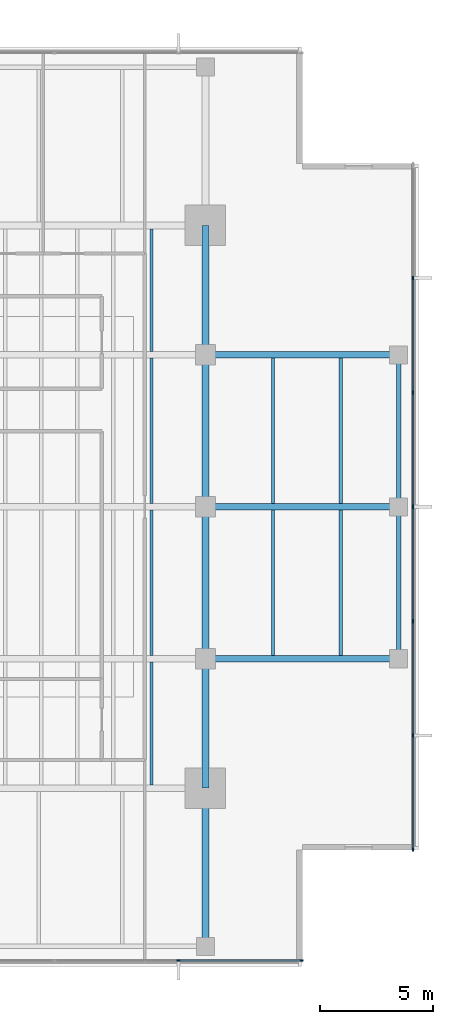
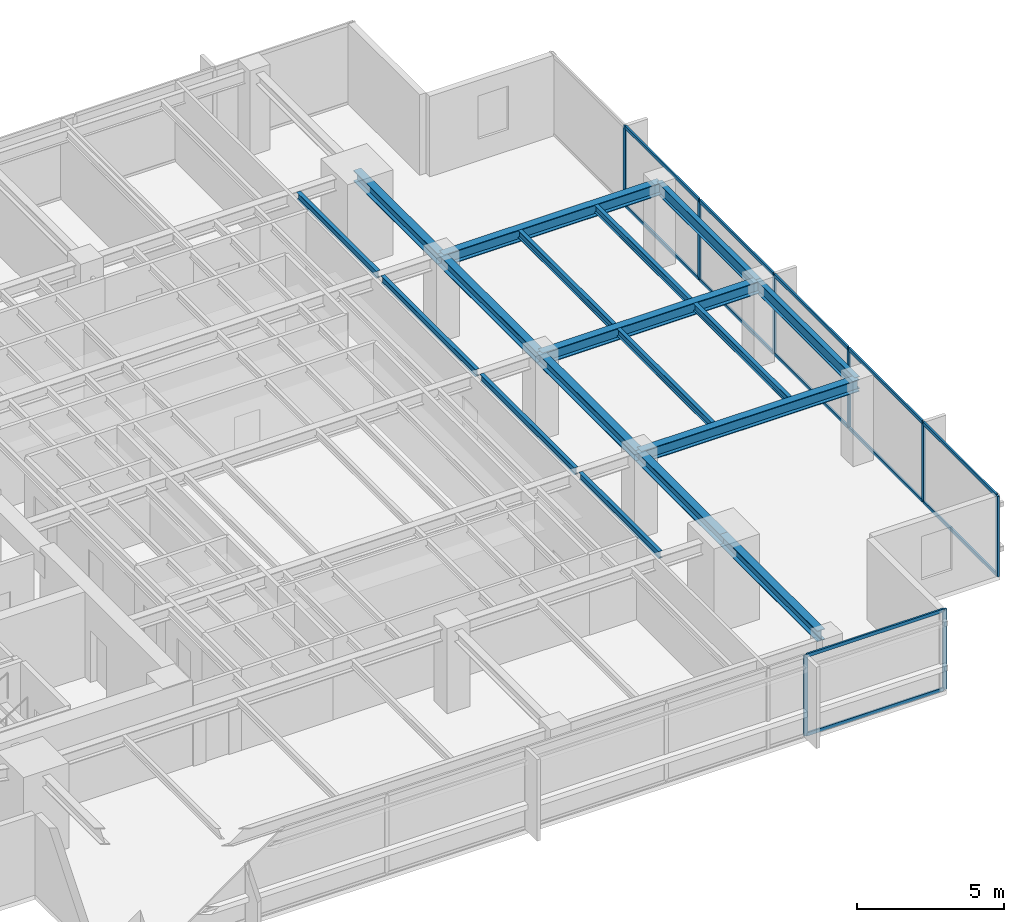
# One storey, part 4 of 15: 20 members, 18 beams, 2 elements without a shape of their own.
"""IFC4 building model written with IfcOpenShell, lengths in metres."""

import ifcopenshell
import ifcopenshell.guid

model = None  # the IFC model being written
_history = None  # IfcOwnerHistory: only IFC2X3 demands one
_inside = {}  # id of a spatial element -> (the spatial element, [elements in it])
_under = {}  # id of a project, library or spatial element -> (it, [spatial elements below it])
_declared = {}  # id of a project -> (the project, [libraries it declares])
_typed = {}  # id of a type object -> (the type object, [elements of that type])
_made_of = {}  # id of a material, layer set ... -> (it, [elements and type objects made of it])


def new_model(schema):
    """Start an empty IFC model of exactly this schema.

    Asked for "IFC4X3", IfcOpenShell would pick the latest addendum, in which some entities
    have other attributes; the version numbers below select the first issue.
    IFC2X3 requires an IfcOwnerHistory on every rooted entity: one is made here for all.
    """
    global model, _history
    if schema == "IFC4X3":
        model = ifcopenshell.file(schema_version=(4, 3, 0, 0))
    else:
        model = ifcopenshell.file(schema=schema)
    _inside.clear()
    _under.clear()
    _declared.clear()
    _typed.clear()
    _made_of.clear()
    _history = None
    if model.schema == "IFC2X3":
        org = make("IfcOrganization", Name="unknown")
        user = make(
            "IfcPersonAndOrganization",
            ThePerson=make("IfcPerson", FamilyName="unknown"),
            TheOrganization=org,
        )
        app = make(
            "IfcApplication",
            ApplicationDeveloper=org,
            Version="unknown",
            ApplicationFullName="unknown",
            ApplicationIdentifier="unknown",
        )
        _history = make(
            "IfcOwnerHistory",
            OwningUser=user,
            OwningApplication=app,
            ChangeAction="ADDED",
            CreationDate=0,
        )
    return model


def make(cls, **values):
    """One entity of the class cls with the attributes given. An attribute that is None is left unset."""
    return model.create_entity(
        cls, **{name: value for name, value in values.items() if value is not None}
    )


def rooted(cls, **values):
    """An entity with a GlobalId (a new one), such as an element, a storey or a relation."""
    return make(cls, GlobalId=ifcopenshell.guid.new(), OwnerHistory=_history, **values)


def si_unit(unit_type, name, prefix=None):
    """IfcSIUnit, for example si_unit("LENGTHUNIT", "METRE", prefix="MILLI")."""
    return make("IfcSIUnit", UnitType=unit_type, Prefix=prefix, Name=name)


def assignment(units):
    """IfcUnitAssignment: the units of a project."""
    return None if units is None else make("IfcUnitAssignment", Units=units)


def point(xyz):
    """IfcCartesianPoint."""
    return None if xyz is None else make("IfcCartesianPoint", Coordinates=xyz)


def direction(xyz):
    """IfcDirection."""
    return None if xyz is None else make("IfcDirection", DirectionRatios=xyz)


def frame(location, z_axis=None, x_axis=None):
    """IfcAxis2Placement3D, a coordinate frame: its origin and axes. An axis left out is left unset."""
    return make(
        "IfcAxis2Placement3D",
        Location=point(location),
        Axis=direction(z_axis),
        RefDirection=direction(x_axis),
    )


def frame_2d(location, x_axis=None):
    """IfcAxis2Placement2D, a coordinate frame in the plane: its origin and x axis."""
    return make(
        "IfcAxis2Placement2D", Location=point(location), RefDirection=direction(x_axis)
    )


def origin():
    """The frame at (0, 0, 0) with its axes left unset."""
    return frame((0.0, 0.0, 0.0))


def origin_2d():
    """The frame at (0, 0) in the plane with its x axis left unset."""
    return frame_2d((0.0, 0.0))


def place(relative_to, where):
    """IfcLocalPlacement: puts the frame where relative to a parent placement (None: the world)."""
    return make(
        "IfcLocalPlacement", PlacementRelTo=relative_to, RelativePlacement=where
    )


def context(
    kind, dimensions, precision=None, world=None, true_north=None, identifier=None
):
    """IfcGeometricRepresentationContext, for example the 3D "Model" context."""
    return make(
        "IfcGeometricRepresentationContext",
        ContextIdentifier=identifier,
        ContextType=kind,
        CoordinateSpaceDimension=dimensions,
        Precision=precision,
        WorldCoordinateSystem=world,
        TrueNorth=true_north,
    )


def subcontext(parent, identifier, kind, view, scale=None):
    """IfcGeometricRepresentationSubContext, for example "Body" below "Model"."""
    return make(
        "IfcGeometricRepresentationSubContext",
        ContextIdentifier=identifier,
        ContextType=kind,
        ParentContext=parent,
        TargetScale=scale,
        TargetView=view,
    )


def project(units=None, contexts=None):
    """IfcProject with its units and contexts."""
    return rooted(
        "IfcProject",
        Name="project",
        RepresentationContexts=contexts,
        UnitsInContext=assignment(units),
    )


def spatial(cls, under=None, at=None, **own):
    """A site, building, storey or space (cls), placed at a placement, below another one or the project."""
    s = rooted(cls, ObjectPlacement=at, **own)
    if under is not None:
        _under.setdefault(under.id(), (under, []))[1].append(s)
    return s


def profile(cls, at=None, kind="AREA", **sizes):
    """A parametric profile (cls). Its sizes go by their IFC names, for example OverallWidth=200.0."""
    return make(cls, ProfileType=kind, Position=at, **sizes)


def rectangle(**sizes):
    """IfcRectangleProfileDef."""
    return profile("IfcRectangleProfileDef", **sizes)


def i_section(**sizes):
    """IfcIShapeProfileDef."""
    return profile("IfcIShapeProfileDef", **sizes)


def extrude(swept, where, along, depth):
    """IfcExtrudedAreaSolid: the profile swept, set in the frame where, extruded along a direction by depth."""
    return make(
        "IfcExtrudedAreaSolid",
        SweptArea=swept,
        Position=where,
        ExtrudedDirection=direction(along),
        Depth=depth,
    )


def shape(context_of_items, identifier, shape_type, items):
    """IfcShapeRepresentation: the items that make up one representation, for example the "Body"."""
    return make(
        "IfcShapeRepresentation",
        ContextOfItems=context_of_items,
        RepresentationIdentifier=identifier,
        RepresentationType=shape_type,
        Items=items,
    )


def material(Name=None, Category=None):
    """IfcMaterial."""
    return make("IfcMaterial", Name=Name, Category=Category)


def layer(
    of_material, thickness, ventilated=None, Name=None, Category=None, Priority=None
):
    """IfcMaterialLayer: one layer of a wall or slab, of a material (None: an air gap)."""
    return make(
        "IfcMaterialLayer",
        Material=of_material,
        LayerThickness=thickness,
        IsVentilated=ventilated,
        Name=Name,
        Category=Category,
        Priority=Priority,
    )


def layer_set(layers, Name=None):
    """IfcMaterialLayerSet."""
    return make("IfcMaterialLayerSet", MaterialLayers=layers, LayerSetName=Name)


def material_profile(
    of_material, cross_section, Name=None, Category=None, Priority=None
):
    """IfcMaterialProfile: a cross section and its material."""
    return make(
        "IfcMaterialProfile",
        Name=Name,
        Material=of_material,
        Profile=cross_section,
        Priority=Priority,
        Category=Category,
    )


def profile_set(profiles, Name=None, composite=None):
    """IfcMaterialProfileSet."""
    return make(
        "IfcMaterialProfileSet",
        Name=Name,
        MaterialProfiles=profiles,
        CompositeProfile=composite,
    )


def made_of(thing, what):
    """Note that an element or type object is made of a material, layer set ...; save() writes the relation."""
    if what is not None:
        _made_of.setdefault(what.id(), (what, []))[1].append(thing)
    return thing


def type_object(cls, material=None, **own):
    """A type object (cls), such as IfcWallType, which elements share."""
    return made_of(rooted(cls, **own), material)


def element(
    cls,
    number,
    at=None,
    inside=None,
    cuts=None,
    type_object=None,
    material=None,
    context=None,
    identifier="Body",
    shape_type=None,
    held_by="IfcProductDefinitionShape",
    body=None,
    shapes=None,
    **own,
):
    """One element of the class cls, such as IfcWall. Its Tag is "e" and its number.

    at: its placement. inside: the storey or other place that contains it. cuts: it is an
    opening in that element (IfcRelVoidsElement). A single representation is given by context,
    identifier, shape_type and body (its items); several are given by shapes. held_by: the class
    of the entity that holds the representations. save() writes the other relations.
    """
    e = rooted(cls, Tag="e%d" % number, ObjectPlacement=at, **own)
    if body is not None:
        shapes = [shape(context, identifier, shape_type, body)]
    if shapes is not None:
        e.Representation = make(held_by, Representations=shapes)
    if inside is not None:
        _inside.setdefault(inside.id(), (inside, []))[1].append(e)
    if cuts is not None:
        rooted(
            "IfcRelVoidsElement", RelatingBuildingElement=cuts, RelatedOpeningElement=e
        )
    if type_object is not None:
        _typed.setdefault(type_object.id(), (type_object, []))[1].append(e)
    return made_of(e, material)


def aggregate(whole, parts):
    """IfcRelAggregates: a whole, such as a stair, and the parts it consists of."""
    return rooted("IfcRelAggregates", RelatingObject=whole, RelatedObjects=parts)


def save(model, path):
    """Write the relations noted so far, then the file.

    IfcRelAggregates (storeys below a building ...), IfcRelContainedInSpatialStructure (elements
    in a storey), IfcRelDefinesByType, IfcRelAssociatesMaterial and IfcRelDeclares: one each for
    every whole, place, type object, material and project.
    """
    for whole, parts in _under.values():
        aggregate(whole, parts)
    for where, things in _inside.values():
        rooted(
            "IfcRelContainedInSpatialStructure",
            RelatedElements=things,
            RelatingStructure=where,
        )
    for kind, things in _typed.values():
        rooted("IfcRelDefinesByType", RelatedObjects=things, RelatingType=kind)
    for what, things in _made_of.values():
        rooted("IfcRelAssociatesMaterial", RelatedObjects=things, RelatingMaterial=what)
    for by, libraries in _declared.values():
        rooted("IfcRelDeclares", RelatingContext=by, RelatedDefinitions=libraries)
    model.write(path)


model = new_model("IFC4")

# Units and contexts
model_context = context("Model", 3, precision=1e-05, world=origin(), true_north=direction((0.0, 1.0)))
body_context = subcontext(model_context, "Body", "Model", "MODEL_VIEW")
ifc_project = project(units=[si_unit("LENGTHUNIT", "METRE"), si_unit("AREAUNIT", "SQUARE_METRE"), si_unit("VOLUMEUNIT", "CUBIC_METRE"), si_unit("PLANEANGLEUNIT", "RADIAN"), si_unit("MASSUNIT", "GRAM", prefix="KILO")], contexts=[model_context])

# Site, building, storey
site_placement = place(None, origin())
site = spatial("IfcSite", under=ifc_project, at=site_placement, CompositionType="ELEMENT")
building_placement = place(site_placement, origin())
building = spatial("IfcBuilding", under=site, at=building_placement, Name="Kinhvarn Gate Tower", CompositionType="ELEMENT")
storey_placement = place(building_placement, frame((0.0, 0.0, 237.75)))
storey = spatial("IfcBuildingStorey", under=building, at=storey_placement, Name="L63", CompositionType="ELEMENT", Elevation=237.75)

# Curtain wall, members
ifc_material_1 = material(Name="Anodised aluminium AW-6063", Category="aluminium")
ifc_layer = layer(ifc_material_1, 0.179931640625)
ifc_layer_set = layer_set([ifc_layer], Name="Anodised aluminium AW-6063")
curtain_wall_type = type_object("IfcCurtainWallType", Name="CW-SYS-3", PredefinedType="NOTDEFINED", material=ifc_layer_set)
curtain_wall_1_placement = place(storey_placement, origin())
curtain_wall_1 = element("IfcCurtainWall", 1, at=curtain_wall_1_placement, inside=storey, type_object=curtain_wall_type, Name="Curtain Wall CW3 (L63)", PredefinedType="NOTDEFINED")
ifc_material_profile_1 = material_profile(ifc_material_1, rectangle(XDim=0.06494140625, YDim=0.159912109375, at=origin_2d()), Name="ALU 65x160")
ifc_profile_set_1 = profile_set([ifc_material_profile_1], Name="Anodised aluminium AW-6063")
member_type_1 = type_object("IfcMemberType", Name="CW-MUL-160", PredefinedType="MULLION", material=ifc_profile_set_1)
member_1_placement = place(storey_placement, frame((37.0, 5.090087890625, 0.0), z_axis=(0.0, 0.0, 1.0), x_axis=(0.0, 1.0, 0.0)))
member_1 = element("IfcMember", 2, at=member_1_placement, type_object=member_type_1, Name="CW3 mullion 6", PredefinedType="MULLION", context=body_context, shape_type="SweptSolid", body=[
    extrude(rectangle(XDim=0.06494140625, YDim=0.159912109375, at=origin_2d()), origin(), (0.0, 0.0, 1.0), 3.35009765625),
])
member_2_placement = place(storey_placement, frame((42.467529296875, 5.090087890625, 0.0), z_axis=(0.0, 0.0, 1.0), x_axis=(0.0, 1.0, 0.0)))
member_2 = element("IfcMember", 3, at=member_2_placement, type_object=member_type_1, Name="CW3 mullion 7", PredefinedType="MULLION", context=body_context, shape_type="SweptSolid", body=[
    extrude(rectangle(XDim=0.06494140625, YDim=0.159912109375, at=origin_2d()), origin(), (0.0, 0.0, 1.0), 3.35009765625),
])

curtain_wall_2_placement = place(storey_placement, origin())
curtain_wall_2 = element("IfcCurtainWall", 4, at=curtain_wall_2_placement, inside=storey, type_object=curtain_wall_type, Name="Curtain Wall CW3 (L63)", PredefinedType="NOTDEFINED")
member_3_placement = place(storey_placement, frame((47.409912109375, 10.032470703125, 0.0), z_axis=(0.0, 0.0, 1.0), x_axis=(-1.0, 0.0, 0.0)))
member_3 = element("IfcMember", 5, at=member_3_placement, type_object=member_type_1, Name="CW3 mullion 1", PredefinedType="MULLION", context=body_context, shape_type="SweptSolid", body=[
    extrude(rectangle(XDim=0.06494140625, YDim=0.159912109375, at=origin_2d()), origin(), (0.0, 0.0, 1.0), 3.35009765625),
])
member_4_placement = place(storey_placement, frame((47.409912109375, 15.083251953125, 0.0), z_axis=(0.0, 0.0, 1.0), x_axis=(-1.0, 0.0, 0.0)))
member_4 = element("IfcMember", 6, at=member_4_placement, type_object=member_type_1, Name="CW3 mullion 2", PredefinedType="MULLION", context=body_context, shape_type="SweptSolid", body=[
    extrude(rectangle(XDim=0.06494140625, YDim=0.159912109375, at=origin_2d()), origin(), (0.0, 0.0, 1.0), 3.35009765625),
])
member_5_placement = place(storey_placement, frame((47.409912109375, 20.166748046875, 0.0), z_axis=(0.0, 0.0, 1.0), x_axis=(-1.0, 0.0, 0.0)))
member_5 = element("IfcMember", 7, at=member_5_placement, type_object=member_type_1, Name="CW3 mullion 3", PredefinedType="MULLION", context=body_context, shape_type="SweptSolid", body=[
    extrude(rectangle(XDim=0.06494140625, YDim=0.159912109375, at=origin_2d()), origin(), (0.0, 0.0, 1.0), 3.35009765625),
])
member_6_placement = place(storey_placement, frame((47.409912109375, 25.25, 0.0), z_axis=(0.0, 0.0, 1.0), x_axis=(-1.0, 0.0, 0.0)))
member_6 = element("IfcMember", 8, at=member_6_placement, type_object=member_type_1, Name="CW3 mullion 4", PredefinedType="MULLION", context=body_context, shape_type="SweptSolid", body=[
    extrude(rectangle(XDim=0.06494140625, YDim=0.159912109375, at=origin_2d()), origin(), (0.0, 0.0, 1.0), 3.35009765625),
])
member_7_placement = place(storey_placement, frame((47.409912109375, 30.333251953125, 0.0), z_axis=(0.0, 0.0, 1.0), x_axis=(-1.0, 0.0, 0.0)))
member_7 = element("IfcMember", 9, at=member_7_placement, type_object=member_type_1, Name="CW3 mullion 5", PredefinedType="MULLION", context=body_context, shape_type="SweptSolid", body=[
    extrude(rectangle(XDim=0.06494140625, YDim=0.159912109375, at=origin_2d()), origin(), (0.0, 0.0, 1.0), 3.35009765625),
])
member_8_placement = place(storey_placement, frame((47.409912109375, 35.416748046875, 0.0), z_axis=(0.0, 0.0, 1.0), x_axis=(-1.0, 0.0, 0.0)))
member_8 = element("IfcMember", 10, at=member_8_placement, type_object=member_type_1, Name="CW3 mullion 6", PredefinedType="MULLION", context=body_context, shape_type="SweptSolid", body=[
    extrude(rectangle(XDim=0.06494140625, YDim=0.159912109375, at=origin_2d()), origin(), (0.0, 0.0, 1.0), 3.35009765625),
])

# Member
ifc_material_profile_2 = material_profile(ifc_material_1, rectangle(XDim=0.070068359375, YDim=0.139892578125, at=origin_2d()), Name="ALU 70x140")
ifc_profile_set_2 = profile_set([ifc_material_profile_2], Name="Anodised aluminium AW-6063")
member_type_2 = type_object("IfcMemberType", Name="CW-TRN-140", PredefinedType="USERDEFINED", material=ifc_profile_set_2)
member_9_placement = place(storey_placement, frame((37.032470703125, 5.090087890625, 0.034912109375), z_axis=(1.0, 0.0, 0.0), x_axis=(0.0, 1.0, 0.0)))
member_9 = element("IfcMember", 11, at=member_9_placement, type_object=member_type_2, Name="CW3 transom 6.1", ObjectType="TRANSOM", PredefinedType="USERDEFINED", context=body_context, shape_type="SweptSolid", body=[
    extrude(rectangle(XDim=0.070068359375, YDim=0.139892578125, at=origin_2d()), origin(), (0.0, 0.0, 1.0), 5.402587890625),
])

member_10_placement = place(storey_placement, frame((37.032470703125, 5.090087890625, 3.31494140625), z_axis=(1.0, 0.0, 0.0), x_axis=(0.0, 1.0, 0.0)))
member_10 = element("IfcMember", 12, at=member_10_placement, type_object=member_type_2, Name="CW3 transom 6.2", ObjectType="TRANSOM", PredefinedType="USERDEFINED", context=body_context, shape_type="SweptSolid", body=[
    extrude(rectangle(XDim=0.070068359375, YDim=0.139892578125, at=origin_2d()), origin(), (0.0, 0.0, 1.0), 5.402587890625),
])

aggregate(curtain_wall_1, [member_1, member_2, member_9, member_10])

member_11_placement = place(storey_placement, frame((47.409912109375, 10.06494140625, 0.034912109375), z_axis=(0.0, 1.0, 0.0), x_axis=(-1.0, 0.0, 0.0)))
member_11 = element("IfcMember", 13, at=member_11_placement, type_object=member_type_2, Name="CW3 transom 1.1", ObjectType="TRANSOM", PredefinedType="USERDEFINED", context=body_context, shape_type="SweptSolid", body=[
    extrude(rectangle(XDim=0.070068359375, YDim=0.139892578125, at=origin_2d()), origin(), (0.0, 0.0, 1.0), 4.98583984375),
])

member_12_placement = place(storey_placement, frame((47.409912109375, 10.06494140625, 3.31494140625), z_axis=(0.0, 1.0, 0.0), x_axis=(-1.0, 0.0, 0.0)))
member_12 = element("IfcMember", 14, at=member_12_placement, type_object=member_type_2, Name="CW3 transom 1.2", ObjectType="TRANSOM", PredefinedType="USERDEFINED", context=body_context, shape_type="SweptSolid", body=[
    extrude(rectangle(XDim=0.070068359375, YDim=0.139892578125, at=origin_2d()), origin(), (0.0, 0.0, 1.0), 4.98583984375),
])

member_13_placement = place(storey_placement, frame((47.409912109375, 15.11572265625, 0.034912109375), z_axis=(0.0, 1.0, 0.0), x_axis=(-1.0, 0.0, 0.0)))
member_13 = element("IfcMember", 15, at=member_13_placement, type_object=member_type_2, Name="CW3 transom 2.1", ObjectType="TRANSOM", PredefinedType="USERDEFINED", context=body_context, shape_type="SweptSolid", body=[
    extrude(rectangle(XDim=0.070068359375, YDim=0.139892578125, at=origin_2d()), origin(), (0.0, 0.0, 1.0), 5.0185546875),
])

member_14_placement = place(storey_placement, frame((47.409912109375, 15.11572265625, 3.31494140625), z_axis=(0.0, 1.0, 0.0), x_axis=(-1.0, 0.0, 0.0)))
member_14 = element("IfcMember", 16, at=member_14_placement, type_object=member_type_2, Name="CW3 transom 2.2", ObjectType="TRANSOM", PredefinedType="USERDEFINED", context=body_context, shape_type="SweptSolid", body=[
    extrude(rectangle(XDim=0.070068359375, YDim=0.139892578125, at=origin_2d()), origin(), (0.0, 0.0, 1.0), 5.0185546875),
])

member_15_placement = place(storey_placement, frame((47.409912109375, 20.19921875, 0.034912109375), z_axis=(0.0, 1.0, 0.0), x_axis=(-1.0, 0.0, 0.0)))
member_15 = element("IfcMember", 17, at=member_15_placement, type_object=member_type_2, Name="CW3 transom 3.1", ObjectType="TRANSOM", PredefinedType="USERDEFINED", context=body_context, shape_type="SweptSolid", body=[
    extrude(rectangle(XDim=0.070068359375, YDim=0.139892578125, at=origin_2d()), origin(), (0.0, 0.0, 1.0), 5.018310546875),
])

member_16_placement = place(storey_placement, frame((47.409912109375, 20.19921875, 3.31494140625), z_axis=(0.0, 1.0, 0.0), x_axis=(-1.0, 0.0, 0.0)))
member_16 = element("IfcMember", 18, at=member_16_placement, type_object=member_type_2, Name="CW3 transom 3.2", ObjectType="TRANSOM", PredefinedType="USERDEFINED", context=body_context, shape_type="SweptSolid", body=[
    extrude(rectangle(XDim=0.070068359375, YDim=0.139892578125, at=origin_2d()), origin(), (0.0, 0.0, 1.0), 5.018310546875),
])

member_17_placement = place(storey_placement, frame((47.409912109375, 25.282470703125, 0.034912109375), z_axis=(0.0, 1.0, 0.0), x_axis=(-1.0, 0.0, 0.0)))
member_17 = element("IfcMember", 19, at=member_17_placement, type_object=member_type_2, Name="CW3 transom 4.1", ObjectType="TRANSOM", PredefinedType="USERDEFINED", context=body_context, shape_type="SweptSolid", body=[
    extrude(rectangle(XDim=0.070068359375, YDim=0.139892578125, at=origin_2d()), origin(), (0.0, 0.0, 1.0), 5.018310546875),
])

member_18_placement = place(storey_placement, frame((47.409912109375, 25.282470703125, 3.31494140625), z_axis=(0.0, 1.0, 0.0), x_axis=(-1.0, 0.0, 0.0)))
member_18 = element("IfcMember", 20, at=member_18_placement, type_object=member_type_2, Name="CW3 transom 4.2", ObjectType="TRANSOM", PredefinedType="USERDEFINED", context=body_context, shape_type="SweptSolid", body=[
    extrude(rectangle(XDim=0.070068359375, YDim=0.139892578125, at=origin_2d()), origin(), (0.0, 0.0, 1.0), 5.018310546875),
])

member_19_placement = place(storey_placement, frame((47.409912109375, 30.36572265625, 0.034912109375), z_axis=(0.0, 1.0, 0.0), x_axis=(-1.0, 0.0, 0.0)))
member_19 = element("IfcMember", 21, at=member_19_placement, type_object=member_type_2, Name="CW3 transom 5.1", ObjectType="TRANSOM", PredefinedType="USERDEFINED", context=body_context, shape_type="SweptSolid", body=[
    extrude(rectangle(XDim=0.070068359375, YDim=0.139892578125, at=origin_2d()), origin(), (0.0, 0.0, 1.0), 5.0185546875),
])

member_20_placement = place(storey_placement, frame((47.409912109375, 30.36572265625, 3.31494140625), z_axis=(0.0, 1.0, 0.0), x_axis=(-1.0, 0.0, 0.0)))
member_20 = element("IfcMember", 22, at=member_20_placement, type_object=member_type_2, Name="CW3 transom 5.2", ObjectType="TRANSOM", PredefinedType="USERDEFINED", context=body_context, shape_type="SweptSolid", body=[
    extrude(rectangle(XDim=0.070068359375, YDim=0.139892578125, at=origin_2d()), origin(), (0.0, 0.0, 1.0), 5.0185546875),
])

aggregate(curtain_wall_2, [member_3, member_4, member_5, member_6, member_7, member_8, member_11, member_12, member_13, member_14, member_15, member_16, member_17, member_18, member_19, member_20])

# Beams
ifc_material_2 = material(Name="Steel S355", Category="steel")
ifc_material_profile_3 = material_profile(ifc_material_2, i_section(OverallWidth=0.300048828125, OverallDepth=0.449951171875, WebThickness=0.013916015625, FlangeThickness=0.02587890625, at=origin_2d()), Name="HEB 450")
ifc_profile_set_3 = profile_set([ifc_material_profile_3], Name="Steel S355")
beam_type_1 = type_object("IfcBeamType", Name="STL-HEB450", PredefinedType="BEAM", material=ifc_profile_set_3)
beam_1_placement = place(storey_placement, frame((38.199951171875, 6.10498046875, 3.125), z_axis=(0.0, 1.0, 0.0), x_axis=(-1.0, 0.0, 0.0)))
element("IfcBeam", 23, at=beam_1_placement, inside=storey, type_object=beam_type_1, Name="Floor Beam PG-13 (L63 MCE-S)", PredefinedType="BEAM", context=body_context, shape_type="SweptSolid", body=[
    extrude(i_section(OverallWidth=0.300048828125, OverallDepth=0.449951171875, WebThickness=0.013916015625, FlangeThickness=0.02587890625, at=origin_2d()), origin(), (0.0, 0.0, 1.0), 6.64501953125),
])
beam_2_placement = place(storey_placement, frame((38.199951171875, 12.75, 3.125), z_axis=(0.0, 1.0, 0.0), x_axis=(-1.0, 0.0, 0.0)))
element("IfcBeam", 24, at=beam_2_placement, inside=storey, type_object=beam_type_1, Name="Floor Beam PG-13 (L63 MG-E-12)", PredefinedType="BEAM", context=body_context, shape_type="SweptSolid", body=[
    extrude(i_section(OverallWidth=0.300048828125, OverallDepth=0.449951171875, WebThickness=0.013916015625, FlangeThickness=0.02587890625, at=origin_2d()), origin(), (0.0, 0.0, 1.0), 5.75),
])
for number, where, z_axis, x_axis, name in (
    (25, (38.199951171875, 18.5, 3.125), (0.0, 1.0, 0.0), (-1.0, 0.0, 0.0), "Floor Beam PG-13 (L63 MG-E-18)"),
    (26, (38.199951171875, 25.25, 3.125), (0.0, 1.0, 0.0), (-1.0, 0.0, 0.0), "Floor Beam PG-13 (L63 MG-E-25)"),
):
    element("IfcBeam", number, at=place(storey_placement, frame(where, z_axis=z_axis, x_axis=x_axis)), inside=storey, type_object=beam_type_1, Name=name, PredefinedType="BEAM", context=body_context, shape_type="SweptSolid", body=[
        extrude(i_section(OverallWidth=0.300048828125, OverallDepth=0.449951171875, WebThickness=0.013916015625, FlangeThickness=0.02587890625, at=origin_2d()), origin(), (0.0, 0.0, 1.0), 6.75),
    ])
beam_3_placement = place(storey_placement, frame((38.199951171875, 32.0, 3.125), z_axis=(0.0, 1.0, 0.0), x_axis=(-1.0, 0.0, 0.0)))
element("IfcBeam", 27, at=beam_3_placement, inside=storey, type_object=beam_type_1, Name="Floor Beam PG-13 (L63 MG-E-32)", PredefinedType="BEAM", context=body_context, shape_type="SweptSolid", body=[
    extrude(i_section(OverallWidth=0.300048828125, OverallDepth=0.449951171875, WebThickness=0.013916015625, FlangeThickness=0.02587890625, at=origin_2d()), origin(), (0.0, 0.0, 1.0), 5.75),
])
ifc_material_profile_4 = material_profile(ifc_material_2, i_section(OverallWidth=0.300048828125, OverallDepth=0.5, WebThickness=0.014404296875, FlangeThickness=0.028076171875, at=origin_2d()), Name="HEB 500")
ifc_profile_set_4 = profile_set([ifc_material_profile_4], Name="Steel S355")
beam_type_2 = type_object("IfcBeamType", Name="STL-HEB500", PredefinedType="BEAM", material=ifc_profile_set_4)
for number, where, z_axis, x_axis, name in (
    (28, (38.199951171875, 18.5, 3.10009765625), (1.0, 0.0, 0.0), (0.0, 1.0, 0.0), "Floor Beam PG-14 (L63 EW2-Y18)"),
    (29, (38.199951171875, 25.25, 3.10009765625), (1.0, 0.0, 0.0), (0.0, 1.0, 0.0), "Floor Beam PG-14 (L63 EW2-Y25)"),
    (30, (38.199951171875, 32.0, 3.10009765625), (1.0, 0.0, 0.0), (0.0, 1.0, 0.0), "Floor Beam PG-14 (L63 EW2-Y32)"),
):
    element("IfcBeam", number, at=place(storey_placement, frame(where, z_axis=z_axis, x_axis=x_axis)), inside=storey, type_object=beam_type_2, Name=name, PredefinedType="BEAM", context=body_context, shape_type="SweptSolid", body=[
        extrude(i_section(OverallWidth=0.300048828125, OverallDepth=0.5, WebThickness=0.014404296875, FlangeThickness=0.028076171875, at=origin_2d()), origin(), (0.0, 0.0, 1.0), 8.580078125),
    ])
ifc_material_profile_5 = material_profile(ifc_material_2, i_section(OverallWidth=0.14990234375, OverallDepth=0.300048828125, WebThickness=0.007080078125, FlangeThickness=0.0107421875, at=origin_2d()), Name="IPE 300")
ifc_profile_set_5 = profile_set([ifc_material_profile_5], Name="Steel S355")
beam_type_3 = type_object("IfcBeamType", Name="STL-IPE300", PredefinedType="JOIST", material=ifc_profile_set_5)
beam_4_placement = place(storey_placement, frame((35.800048828125, 12.89990234375, 3.199951171875), z_axis=(0.0, 1.0, 0.0), x_axis=(-1.0, 0.0, 0.0)))
element("IfcBeam", 31, at=beam_4_placement, inside=storey, type_object=beam_type_3, Name="Floor Joist SB-02 (L63 JC-X358-0)", PredefinedType="JOIST", context=body_context, shape_type="SweptSolid", body=[
    extrude(i_section(OverallWidth=0.14990234375, OverallDepth=0.300048828125, WebThickness=0.007080078125, FlangeThickness=0.0107421875, at=origin_2d()), origin(), (0.0, 0.0, 1.0), 5.4501953125),
])
for number, where, z_axis, x_axis, name in (
    (32, (35.800048828125, 18.64990234375, 3.199951171875), (0.0, 1.0, 0.0), (-1.0, 0.0, 0.0), "Floor Joist SB-02 (L63 JC-X358-1)"),
    (33, (35.800048828125, 25.39990234375, 3.199951171875), (0.0, 1.0, 0.0), (-1.0, 0.0, 0.0), "Floor Joist SB-02 (L63 JC-X358-2)"),
):
    element("IfcBeam", number, at=place(storey_placement, frame(where, z_axis=z_axis, x_axis=x_axis)), inside=storey, type_object=beam_type_3, Name=name, PredefinedType="JOIST", context=body_context, shape_type="SweptSolid", body=[
        extrude(i_section(OverallWidth=0.14990234375, OverallDepth=0.300048828125, WebThickness=0.007080078125, FlangeThickness=0.0107421875, at=origin_2d()), origin(), (0.0, 0.0, 1.0), 6.4501953125),
    ])
beam_5_placement = place(storey_placement, frame((35.800048828125, 32.14990234375, 3.199951171875), z_axis=(0.0, 1.0, 0.0), x_axis=(-1.0, 0.0, 0.0)))
element("IfcBeam", 34, at=beam_5_placement, inside=storey, type_object=beam_type_3, Name="Floor Joist SB-02 (L63 JC-X358-3)", PredefinedType="JOIST", context=body_context, shape_type="SweptSolid", body=[
    extrude(i_section(OverallWidth=0.14990234375, OverallDepth=0.300048828125, WebThickness=0.007080078125, FlangeThickness=0.0107421875, at=origin_2d()), origin(), (0.0, 0.0, 1.0), 5.4501953125),
])
for number, where, z_axis, x_axis, name in (
    (35, (41.199951171875, 18.64990234375, 3.199951171875), (0.0, 1.0, 0.0), (-1.0, 0.0, 0.0), "Floor Joist SB-02 (L63 JC-X412-1)"),
    (36, (41.199951171875, 25.39990234375, 3.199951171875), (0.0, 1.0, 0.0), (-1.0, 0.0, 0.0), "Floor Joist SB-02 (L63 JC-X412-2)"),
    (37, (44.2099609375, 18.64990234375, 3.199951171875), (0.0, 1.0, 0.0), (-1.0, 0.0, 0.0), "Floor Joist SB-02 (L63 JC-X442-1)"),
    (38, (44.2099609375, 25.39990234375, 3.199951171875), (0.0, 1.0, 0.0), (-1.0, 0.0, 0.0), "Floor Joist SB-02 (L63 JC-X442-2)"),
):
    element("IfcBeam", number, at=place(storey_placement, frame(where, z_axis=z_axis, x_axis=x_axis)), inside=storey, type_object=beam_type_3, Name=name, PredefinedType="JOIST", context=body_context, shape_type="SweptSolid", body=[
        extrude(i_section(OverallWidth=0.14990234375, OverallDepth=0.300048828125, WebThickness=0.007080078125, FlangeThickness=0.0107421875, at=origin_2d()), origin(), (0.0, 0.0, 1.0), 6.4501953125),
    ])
ifc_material_profile_6 = material_profile(ifc_material_2, i_section(OverallWidth=0.199951171875, OverallDepth=0.5, WebThickness=0.01025390625, FlangeThickness=0.01611328125, at=origin_2d()), Name="IPE 500")
ifc_profile_set_6 = profile_set([ifc_material_profile_6], Name="Steel S355")
beam_type_4 = type_object("IfcBeamType", Name="STL-IPE500", PredefinedType="SPANDREL", material=ifc_profile_set_6)
for number, where, z_axis, x_axis, name in (
    (39, (46.780029296875, 18.5, 3.10009765625), (0.0, 1.0, 0.0), (-1.0, 0.0, 0.0), "Floor Spandrel SB-07 (L63 SP-E2)"),
    (40, (46.780029296875, 25.25, 3.10009765625), (0.0, 1.0, 0.0), (-1.0, 0.0, 0.0), "Floor Spandrel SB-07 (L63 SP-E3)"),
):
    element("IfcBeam", number, at=place(storey_placement, frame(where, z_axis=z_axis, x_axis=x_axis)), inside=storey, type_object=beam_type_4, Name=name, PredefinedType="SPANDREL", context=body_context, shape_type="SweptSolid", body=[
        extrude(i_section(OverallWidth=0.199951171875, OverallDepth=0.5, WebThickness=0.01025390625, FlangeThickness=0.01611328125, at=origin_2d()), origin(), (0.0, 0.0, 1.0), 6.75),
    ])

save(model, "model.ifc")
